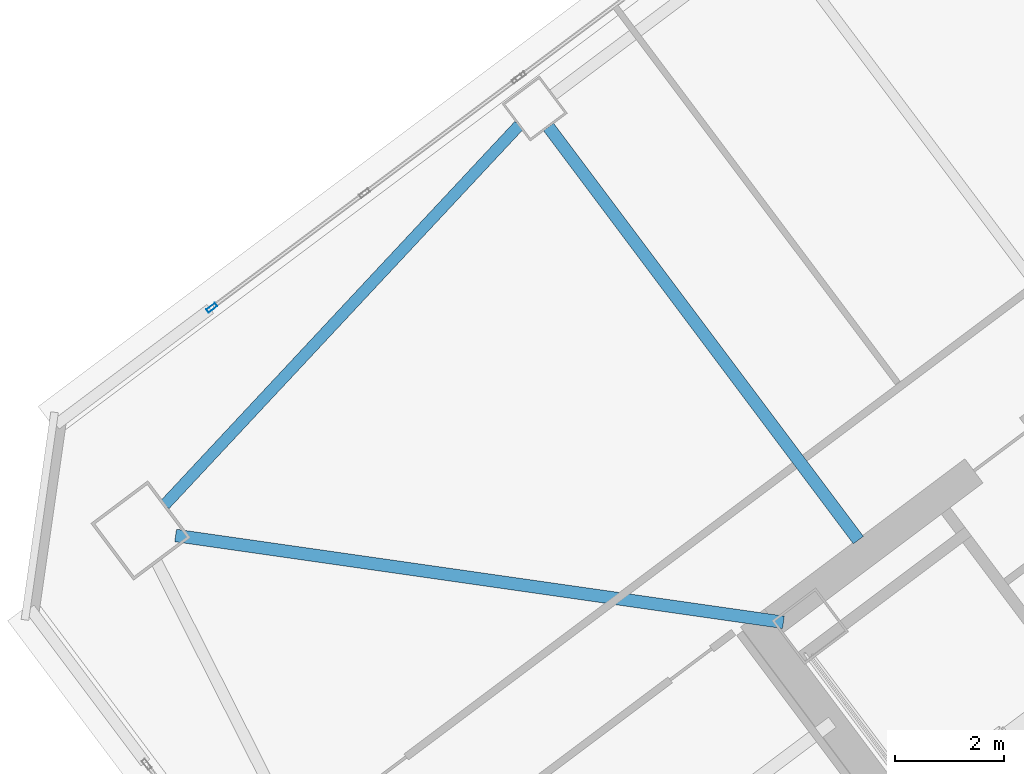
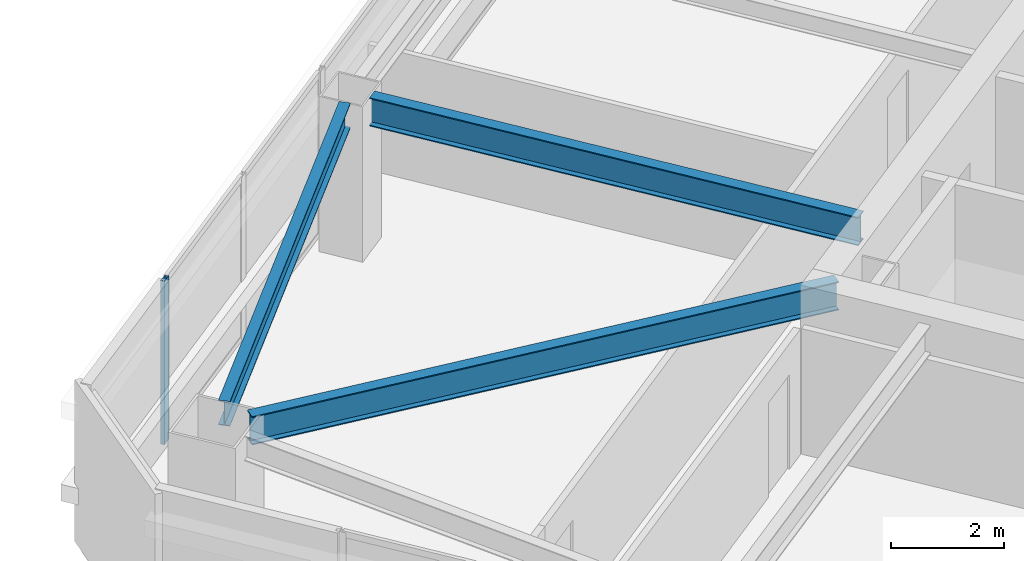
# One storey, part 21 of 44: 3 beams, 1 member, 1 element without a shape of its own.
"""IFC4 building model written with IfcOpenShell, lengths in metres."""

from ifc_helpers import new_model, si_unit, direction, frame, origin, origin_2d, place, context, subcontext, project, spatial, hollow_rectangle, i_section, extrude, material, material_profile, profile_set, type_object, element, aggregate, save


model = new_model("IFC4")

# Units and contexts
model_context = context("Model", 3, precision=1e-05, world=origin(), true_north=direction((0.0, 1.0)))
body_context = subcontext(model_context, "Body", "Model", "MODEL_VIEW")
ifc_project = project(units=[si_unit("LENGTHUNIT", "METRE"), si_unit("AREAUNIT", "SQUARE_METRE"), si_unit("VOLUMEUNIT", "CUBIC_METRE"), si_unit("PLANEANGLEUNIT", "RADIAN"), si_unit("MASSUNIT", "GRAM", prefix="KILO")], contexts=[model_context])

# Site, building, storey
site_placement = place(None, origin())
site = spatial("IfcSite", under=ifc_project, at=site_placement, CompositionType="ELEMENT")
building_placement = place(site_placement, origin())
building = spatial("IfcBuilding", under=site, at=building_placement, Name="Tashvorn Skyway Center", CompositionType="ELEMENT")
storey_placement = place(building_placement, frame((0.0, 0.0, 149.89990234375)))
storey = spatial("IfcBuildingStorey", under=building, at=storey_placement, Name="L40", CompositionType="ELEMENT", Elevation=149.89990234375)

# Beams
ifc_material_1 = material(Name="Steel ASTM A992 Grade 50", Category="steel")
ifc_material_profile_1 = material_profile(ifc_material_1, i_section(OverallWidth=0.22998046875, OverallDepth=0.616943359375, WebThickness=0.01318359375, FlangeThickness=0.022216796875, at=origin_2d()), Name="W24X94")
ifc_profile_set_1 = profile_set([ifc_material_profile_1], Name="Steel ASTM A992 Grade 50")
beam_type_1 = type_object("IfcBeamType", Name="BM-BEAM-W24X94", PredefinedType="BEAM", material=ifc_profile_set_1)
beam_1_placement = place(storey_placement, frame((92.5185546875, 35.06884765625, 3.0615234375), z_axis=(0.989948189712, -0.141430483583, 0.0), x_axis=(0.141430483583, 0.989948189712, 0.0)))
element("IfcBeam", 1, at=beam_1_placement, inside=storey, type_object=beam_type_1, Name="Tower 2 L40 Primary Floor Girder MC-NW", PredefinedType="BEAM", context=body_context, shape_type="SweptSolid", body=[
    extrude(i_section(OverallWidth=0.22998046875, OverallDepth=0.616943359375, WebThickness=0.01318359375, FlangeThickness=0.022216796875, at=origin_2d()), origin(), (0.0, 0.0, 1.0), 11.234375),
])
beam_2_placement = place(storey_placement, frame((99.342041015625, 42.5439453125, 3.0615234375), z_axis=(0.599991732772, -0.800006200354, 0.0), x_axis=(0.800006200354, 0.599991732772, 0.0)))
element("IfcBeam", 2, at=beam_2_placement, inside=storey, type_object=beam_type_1, Name="Tower 2 L40 Primary Floor Girder FC-N2", PredefinedType="BEAM", context=body_context, shape_type="SweptSolid", body=[
    extrude(i_section(OverallWidth=0.22998046875, OverallDepth=0.616943359375, WebThickness=0.01318359375, FlangeThickness=0.022216796875, at=origin_2d()), origin(), (0.0, 0.0, 1.0), 9.449951171875),
])
ifc_material_profile_2 = material_profile(ifc_material_1, i_section(OverallWidth=0.2109375, OverallDepth=0.5390625, WebThickness=0.01171875, FlangeThickness=0.018798828125, at=origin_2d()), Name="W21X73")
ifc_profile_set_2 = profile_set([ifc_material_profile_2], Name="Steel ASTM A992 Grade 50")
beam_type_2 = type_object("IfcBeamType", Name="BM-SPANDREL-W21X73", PredefinedType="SPANDREL", material=ifc_profile_set_2)
beam_3_placement = place(storey_placement, frame((98.80322265625, 42.572998046875, 3.1005859375), z_axis=(-0.682545341102, -0.730843250868, 0.0), x_axis=(0.730843250868, -0.682545341102, 0.0)))
element("IfcBeam", 3, at=beam_3_placement, inside=storey, type_object=beam_type_2, Name="Tower 2 L40 Spandrel Beam 09", PredefinedType="SPANDREL", context=body_context, shape_type="SweptSolid", body=[
    extrude(i_section(OverallWidth=0.2109375, OverallDepth=0.5390625, WebThickness=0.01171875, FlangeThickness=0.018798828125, at=origin_2d()), origin(), (0.0, 0.0, 1.0), 9.498046875),
])

# Curtain wall, member
ifc_material_2 = material(Name="Thermally broken bronze-anodized aluminium 6063-T6", Category="aluminium")
curtain_wall_type = type_object("IfcCurtainWallType", Name="CW-CW-Z3", PredefinedType="NOTDEFINED", material=ifc_material_2)
curtain_wall_placement = place(storey_placement, origin())
curtain_wall = element("IfcCurtainWall", 4, at=curtain_wall_placement, inside=storey, type_object=curtain_wall_type, Name="Tower 2 L40 North Unitised Curtain Wall Glazing Group 1", PredefinedType="NOTDEFINED")
ifc_material_profile_3 = material_profile(ifc_material_2, hollow_rectangle(XDim=0.074951171875, YDim=0.199951171875, WallThickness=0.00439453125, at=origin_2d()), Name="ALU-MULL-75x200")
ifc_profile_set_3 = profile_set([ifc_material_profile_3], Name="Thermally broken bronze-anodized aluminium 6063-T6")
member_type = type_object("IfcMemberType", Name="CWM-CW-Z3", PredefinedType="MULLION", material=ifc_profile_set_3)
member_placement = place(storey_placement, frame((93.18115234375, 39.23583984375, 0.0), z_axis=(0.0, 0.0, 1.0), x_axis=(-0.600004533995, 0.799996599484, 0.0)))
member = element("IfcMember", 5, at=member_placement, type_object=member_type, Name="CW-Z3 mullion 1", PredefinedType="MULLION", context=body_context, shape_type="SweptSolid", body=[
    extrude(hollow_rectangle(XDim=0.074951171875, YDim=0.199951171875, WallThickness=0.00439453125, at=origin_2d()), origin(), (0.0, 0.0, 1.0), 3.550048828125),
])
aggregate(curtain_wall, [member])

save(model, "model.ifc")
